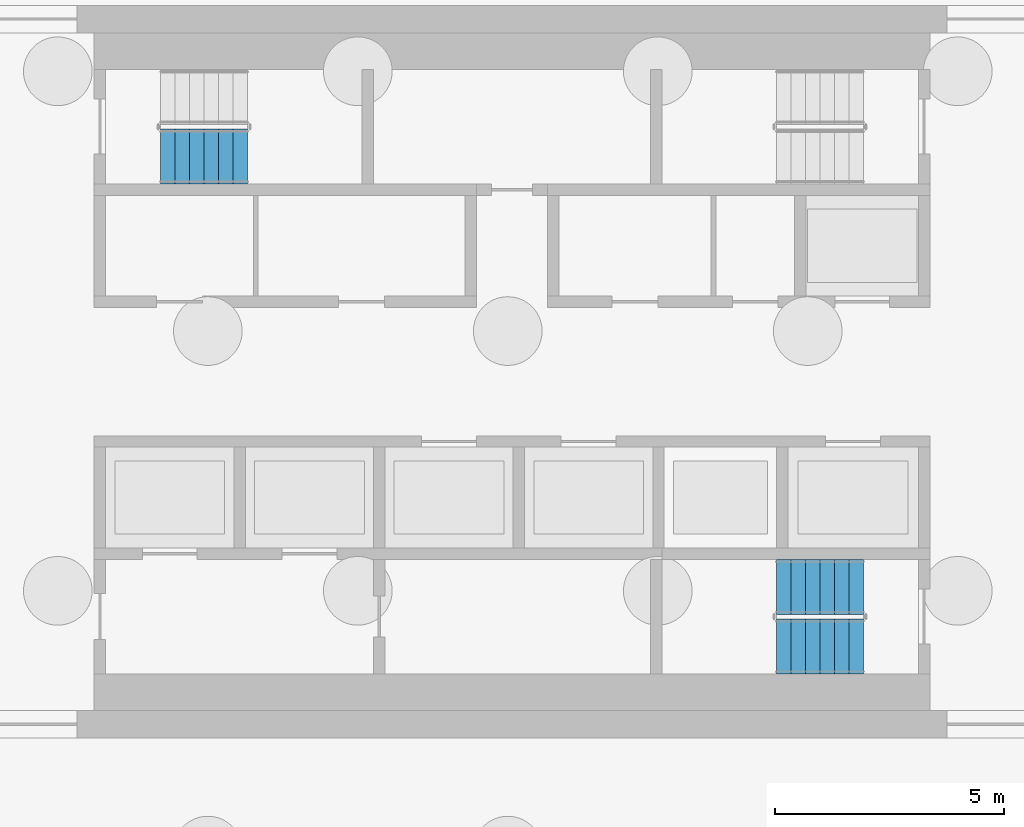
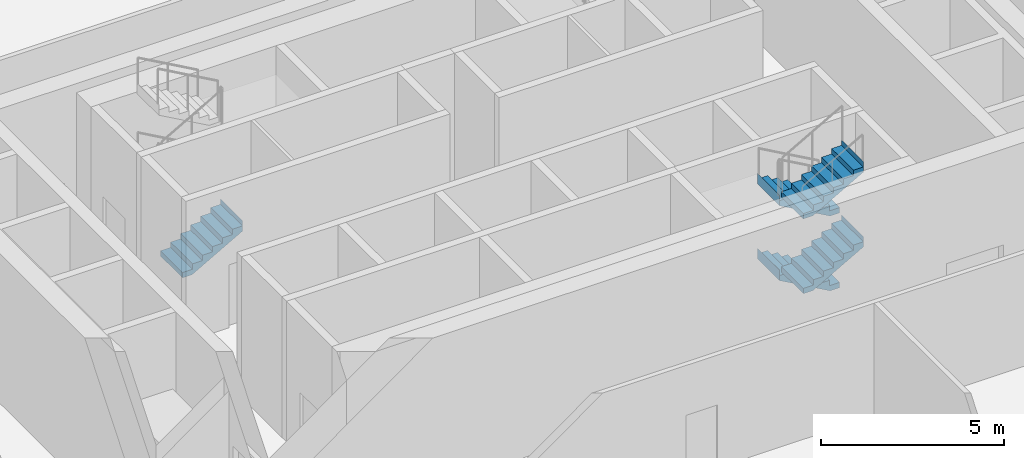
# One storey, part 13 of 19: 5 stair flights, 2 elements without a shape of their own.
"""IFC4 building model written with IfcOpenShell, lengths in metres."""

import ifcopenshell
import ifcopenshell.guid

model = None  # the IFC model being written
_history = None  # IfcOwnerHistory: only IFC2X3 demands one
_inside = {}  # id of a spatial element -> (the spatial element, [elements in it])
_under = {}  # id of a project, library or spatial element -> (it, [spatial elements below it])
_declared = {}  # id of a project -> (the project, [libraries it declares])
_typed = {}  # id of a type object -> (the type object, [elements of that type])
_made_of = {}  # id of a material, layer set ... -> (it, [elements and type objects made of it])


def new_model(schema):
    """Start an empty IFC model of exactly this schema.

    Asked for "IFC4X3", IfcOpenShell would pick the latest addendum, in which some entities
    have other attributes; the version numbers below select the first issue.
    IFC2X3 requires an IfcOwnerHistory on every rooted entity: one is made here for all.
    """
    global model, _history
    if schema == "IFC4X3":
        model = ifcopenshell.file(schema_version=(4, 3, 0, 0))
    else:
        model = ifcopenshell.file(schema=schema)
    _inside.clear()
    _under.clear()
    _declared.clear()
    _typed.clear()
    _made_of.clear()
    _history = None
    if model.schema == "IFC2X3":
        org = make("IfcOrganization", Name="unknown")
        user = make(
            "IfcPersonAndOrganization",
            ThePerson=make("IfcPerson", FamilyName="unknown"),
            TheOrganization=org,
        )
        app = make(
            "IfcApplication",
            ApplicationDeveloper=org,
            Version="unknown",
            ApplicationFullName="unknown",
            ApplicationIdentifier="unknown",
        )
        _history = make(
            "IfcOwnerHistory",
            OwningUser=user,
            OwningApplication=app,
            ChangeAction="ADDED",
            CreationDate=0,
        )
    return model


def make(cls, **values):
    """One entity of the class cls with the attributes given. An attribute that is None is left unset."""
    return model.create_entity(
        cls, **{name: value for name, value in values.items() if value is not None}
    )


def rooted(cls, **values):
    """An entity with a GlobalId (a new one), such as an element, a storey or a relation."""
    return make(cls, GlobalId=ifcopenshell.guid.new(), OwnerHistory=_history, **values)


def si_unit(unit_type, name, prefix=None):
    """IfcSIUnit, for example si_unit("LENGTHUNIT", "METRE", prefix="MILLI")."""
    return make("IfcSIUnit", UnitType=unit_type, Prefix=prefix, Name=name)


def assignment(units):
    """IfcUnitAssignment: the units of a project."""
    return None if units is None else make("IfcUnitAssignment", Units=units)


def point(xyz):
    """IfcCartesianPoint."""
    return None if xyz is None else make("IfcCartesianPoint", Coordinates=xyz)


def direction(xyz):
    """IfcDirection."""
    return None if xyz is None else make("IfcDirection", DirectionRatios=xyz)


def frame(location, z_axis=None, x_axis=None):
    """IfcAxis2Placement3D, a coordinate frame: its origin and axes. An axis left out is left unset."""
    return make(
        "IfcAxis2Placement3D",
        Location=point(location),
        Axis=direction(z_axis),
        RefDirection=direction(x_axis),
    )


def origin():
    """The frame at (0, 0, 0) with its axes left unset."""
    return frame((0.0, 0.0, 0.0))


def place(relative_to, where):
    """IfcLocalPlacement: puts the frame where relative to a parent placement (None: the world)."""
    return make(
        "IfcLocalPlacement", PlacementRelTo=relative_to, RelativePlacement=where
    )


def context(
    kind, dimensions, precision=None, world=None, true_north=None, identifier=None
):
    """IfcGeometricRepresentationContext, for example the 3D "Model" context."""
    return make(
        "IfcGeometricRepresentationContext",
        ContextIdentifier=identifier,
        ContextType=kind,
        CoordinateSpaceDimension=dimensions,
        Precision=precision,
        WorldCoordinateSystem=world,
        TrueNorth=true_north,
    )


def subcontext(parent, identifier, kind, view, scale=None):
    """IfcGeometricRepresentationSubContext, for example "Body" below "Model"."""
    return make(
        "IfcGeometricRepresentationSubContext",
        ContextIdentifier=identifier,
        ContextType=kind,
        ParentContext=parent,
        TargetScale=scale,
        TargetView=view,
    )


def project(units=None, contexts=None):
    """IfcProject with its units and contexts."""
    return rooted(
        "IfcProject",
        Name="project",
        RepresentationContexts=contexts,
        UnitsInContext=assignment(units),
    )


def spatial(cls, under=None, at=None, **own):
    """A site, building, storey or space (cls), placed at a placement, below another one or the project."""
    s = rooted(cls, ObjectPlacement=at, **own)
    if under is not None:
        _under.setdefault(under.id(), (under, []))[1].append(s)
    return s


def point_list(points):
    """IfcCartesianPointList2D or 3D."""
    cls = (
        "IfcCartesianPointList2D" if len(points[0]) == 2 else "IfcCartesianPointList3D"
    )
    return make(cls, CoordList=points)


def triangles(points, corners, closed=None, point_numbers=None):
    """IfcTriangulatedFaceSet: each triangle names its three corners, points numbered from 1."""
    return make(
        "IfcTriangulatedFaceSet",
        Coordinates=point_list(points),
        Closed=closed,
        CoordIndex=corners,
        PnIndex=point_numbers,
    )


def shape(context_of_items, identifier, shape_type, items):
    """IfcShapeRepresentation: the items that make up one representation, for example the "Body"."""
    return make(
        "IfcShapeRepresentation",
        ContextOfItems=context_of_items,
        RepresentationIdentifier=identifier,
        RepresentationType=shape_type,
        Items=items,
    )


def material(Name=None, Category=None):
    """IfcMaterial."""
    return make("IfcMaterial", Name=Name, Category=Category)


def made_of(thing, what):
    """Note that an element or type object is made of a material, layer set ...; save() writes the relation."""
    if what is not None:
        _made_of.setdefault(what.id(), (what, []))[1].append(thing)
    return thing


def type_object(cls, material=None, **own):
    """A type object (cls), such as IfcWallType, which elements share."""
    return made_of(rooted(cls, **own), material)


def element(
    cls,
    number,
    at=None,
    inside=None,
    cuts=None,
    type_object=None,
    material=None,
    context=None,
    identifier="Body",
    shape_type=None,
    held_by="IfcProductDefinitionShape",
    body=None,
    shapes=None,
    **own,
):
    """One element of the class cls, such as IfcWall. Its Tag is "e" and its number.

    at: its placement. inside: the storey or other place that contains it. cuts: it is an
    opening in that element (IfcRelVoidsElement). A single representation is given by context,
    identifier, shape_type and body (its items); several are given by shapes. held_by: the class
    of the entity that holds the representations. save() writes the other relations.
    """
    e = rooted(cls, Tag="e%d" % number, ObjectPlacement=at, **own)
    if body is not None:
        shapes = [shape(context, identifier, shape_type, body)]
    if shapes is not None:
        e.Representation = make(held_by, Representations=shapes)
    if inside is not None:
        _inside.setdefault(inside.id(), (inside, []))[1].append(e)
    if cuts is not None:
        rooted(
            "IfcRelVoidsElement", RelatingBuildingElement=cuts, RelatedOpeningElement=e
        )
    if type_object is not None:
        _typed.setdefault(type_object.id(), (type_object, []))[1].append(e)
    return made_of(e, material)


def aggregate(whole, parts):
    """IfcRelAggregates: a whole, such as a stair, and the parts it consists of."""
    return rooted("IfcRelAggregates", RelatingObject=whole, RelatedObjects=parts)


def save(model, path):
    """Write the relations noted so far, then the file.

    IfcRelAggregates (storeys below a building ...), IfcRelContainedInSpatialStructure (elements
    in a storey), IfcRelDefinesByType, IfcRelAssociatesMaterial and IfcRelDeclares: one each for
    every whole, place, type object, material and project.
    """
    for whole, parts in _under.values():
        aggregate(whole, parts)
    for where, things in _inside.values():
        rooted(
            "IfcRelContainedInSpatialStructure",
            RelatedElements=things,
            RelatingStructure=where,
        )
    for kind, things in _typed.values():
        rooted("IfcRelDefinesByType", RelatedObjects=things, RelatingType=kind)
    for what, things in _made_of.values():
        rooted("IfcRelAssociatesMaterial", RelatedObjects=things, RelatingMaterial=what)
    for by, libraries in _declared.values():
        rooted("IfcRelDeclares", RelatingContext=by, RelatedDefinitions=libraries)
    model.write(path)


model = new_model("IFC4")

# Units and contexts
model_context = context("Model", 3, precision=1e-05, world=origin(), true_north=direction((0.0, 1.0)))
body_context = subcontext(model_context, "Body", "Model", "MODEL_VIEW")
ifc_project = project(units=[si_unit("LENGTHUNIT", "METRE"), si_unit("AREAUNIT", "SQUARE_METRE"), si_unit("VOLUMEUNIT", "CUBIC_METRE"), si_unit("PLANEANGLEUNIT", "RADIAN"), si_unit("MASSUNIT", "GRAM", prefix="KILO")], contexts=[model_context])

# Site, building, storey
site_placement = place(None, origin())
site = spatial("IfcSite", under=ifc_project, at=site_placement, CompositionType="ELEMENT")
building_placement = place(site_placement, origin())
building = spatial("IfcBuilding", under=site, at=building_placement, Name="Sahrelin Media Tower", CompositionType="ELEMENT")
storey_placement = place(building_placement, frame((0.0, 0.0, -5.0)))
storey = spatial("IfcBuildingStorey", under=building, at=storey_placement, Name="B1", CompositionType="ELEMENT", Elevation=-5.0)

# Stair, stair flight
ifc_material = material(Name="Concrete C40/50", Category="concrete")
stair_type = type_object("IfcStairType", Name="Exit stair 1200", PredefinedType="HALF_TURN_STAIR", material=ifc_material)
placement = place(storey_placement, origin())
stair_1 = element("IfcStair", 1, at=placement, inside=storey, type_object=stair_type, Name="B1 Exit stair ST1", PredefinedType="HALF_TURN_STAIR")
stair_flight_type = type_object("IfcStairFlightType", Name="Stair flight 1200", PredefinedType="STRAIGHT", material=ifc_material)
stair_flight_1_placement = place(storey_placement, frame((-7.675048828125, 4.699951171875, 0.0), z_axis=(0.0, 0.0, 1.0), x_axis=(1.0, 0.0, 0.0)))
stair_flight_1 = element("IfcStairFlight", 2, at=stair_flight_1_placement, type_object=stair_flight_type, Name="ST1 flight 1", NumberOfRisers=7, NumberOfTreads=6, PredefinedType="STRAIGHT", RiserHeight=0.178571429, TreadLength=0.316666667, context=body_context, shape_type="Tessellation", body=[
    triangles([(0.30517578125, 0.60009765625, 0.0), (0.30517578125, 0.300048828125, 0.0), (0.30517578125, 0.0, 0.0), (0.30517578125, -0.300048828125, 0.0), (0.30517578125, -0.60009765625, 0.0), (1.89990234375, 0.60009765625, 0.8994140625), (1.89990234375, 0.300048828125, 0.8994140625), (1.89990234375, 0.0, 0.8994140625), (1.89990234375, -0.300048828125, 0.8994140625), (1.89990234375, -0.60009765625, 0.8994140625), (1.89990234375, 0.60009765625, 1.25), (1.89990234375, 0.300048828125, 1.25), (1.89990234375, 0.0, 1.25), (1.89990234375, -0.300048828125, 1.25), (1.89990234375, -0.60009765625, 1.25), (1.89794921875, 0.60009765625, 1.25), (1.89794921875, 0.300048828125, 1.25), (1.89794921875, 0.0, 1.25), (1.89794921875, -0.300048828125, 1.25), (1.89794921875, -0.60009765625, 1.25), (1.89794921875, 0.60009765625, 1.071533203125), (1.89794921875, 0.300048828125, 1.071533203125), (1.89794921875, 0.0, 1.071533203125), (1.89794921875, -0.300048828125, 1.071533203125), (1.89794921875, -0.60009765625, 1.071533203125), (1.583251953125, 0.60009765625, 1.071533203125), (1.583251953125, 0.300048828125, 1.071533203125), (1.583251953125, 0.0, 1.071533203125), (1.583251953125, -0.300048828125, 1.071533203125), (1.583251953125, -0.60009765625, 1.071533203125), (1.583251953125, 0.60009765625, 0.892822265625), (1.583251953125, 0.300048828125, 0.892822265625), (1.583251953125, 0.0, 0.892822265625), (1.583251953125, -0.300048828125, 0.892822265625), (1.583251953125, -0.60009765625, 0.892822265625), (1.2666015625, 0.60009765625, 0.892822265625), (1.2666015625, 0.300048828125, 0.892822265625), (1.2666015625, 0.0, 0.892822265625), (1.2666015625, -0.300048828125, 0.892822265625), (1.2666015625, -0.60009765625, 0.892822265625), (1.2666015625, 0.60009765625, 0.71435546875), (1.2666015625, 0.300048828125, 0.71435546875), (1.2666015625, 0.0, 0.71435546875), (1.2666015625, -0.300048828125, 0.71435546875), (1.2666015625, -0.60009765625, 0.71435546875), (0.949951171875, 0.60009765625, 0.71435546875), (0.949951171875, 0.300048828125, 0.71435546875), (0.949951171875, 0.0, 0.71435546875), (0.949951171875, -0.300048828125, 0.71435546875), (0.949951171875, -0.60009765625, 0.71435546875), (0.949951171875, 0.60009765625, 0.53564453125), (0.949951171875, 0.300048828125, 0.53564453125), (0.949951171875, 0.0, 0.53564453125), (0.949951171875, -0.300048828125, 0.53564453125), (0.949951171875, -0.60009765625, 0.53564453125), (0.63330078125, 0.60009765625, 0.53564453125), (0.63330078125, 0.300048828125, 0.53564453125), (0.63330078125, 0.0, 0.53564453125), (0.63330078125, -0.300048828125, 0.53564453125), (0.63330078125, -0.60009765625, 0.53564453125), (0.63330078125, 0.60009765625, 0.357177734375), (0.63330078125, 0.300048828125, 0.357177734375), (0.63330078125, 0.0, 0.357177734375), (0.63330078125, -0.300048828125, 0.357177734375), (0.63330078125, -0.60009765625, 0.357177734375), (0.316650390625, 0.60009765625, 0.357177734375), (0.316650390625, 0.300048828125, 0.357177734375), (0.316650390625, 0.0, 0.357177734375), (0.316650390625, -0.300048828125, 0.357177734375), (0.316650390625, -0.60009765625, 0.357177734375), (0.316650390625, 0.60009765625, 0.178466796875), (0.316650390625, 0.300048828125, 0.178466796875), (0.316650390625, 0.0, 0.178466796875), (0.316650390625, -0.300048828125, 0.178466796875), (0.316650390625, -0.60009765625, 0.178466796875), (0.0, 0.60009765625, 0.178466796875), (0.0, 0.300048828125, 0.178466796875), (0.0, 0.0, 0.178466796875), (0.0, -0.300048828125, 0.178466796875), (0.0, -0.60009765625, 0.178466796875), (0.0, 0.60009765625, 0.0), (0.0, 0.300048828125, 0.0), (0.0, 0.0, 0.0), (0.0, -0.300048828125, 0.0), (0.0, -0.60009765625, 0.0)], [[1, 6, 7], [1, 7, 2], [2, 7, 8], [2, 8, 3], [3, 8, 9], [3, 9, 4], [4, 9, 10], [4, 10, 5], [6, 11, 12], [6, 12, 7], [7, 12, 13], [7, 13, 8], [8, 13, 14], [8, 14, 9], [9, 14, 15], [9, 15, 10], [11, 16, 17], [11, 17, 12], [12, 17, 18], [12, 18, 13], [13, 18, 19], [13, 19, 14], [14, 19, 20], [14, 20, 15], [16, 21, 22], [16, 22, 17], [17, 22, 23], [17, 23, 18], [18, 23, 24], [18, 24, 19], [19, 24, 25], [19, 25, 20], [21, 26, 27], [21, 27, 22], [22, 27, 28], [22, 28, 23], [23, 28, 29], [23, 29, 24], [24, 29, 30], [24, 30, 25], [26, 31, 32], [26, 32, 27], [27, 32, 33], [27, 33, 28], [28, 33, 34], [28, 34, 29], [29, 34, 35], [29, 35, 30], [31, 36, 37], [31, 37, 32], [32, 37, 38], [32, 38, 33], [33, 38, 39], [33, 39, 34], [34, 39, 40], [34, 40, 35], [36, 41, 42], [36, 42, 37], [37, 42, 43], [37, 43, 38], [38, 43, 44], [38, 44, 39], [39, 44, 45], [39, 45, 40], [41, 46, 47], [41, 47, 42], [42, 47, 48], [42, 48, 43], [43, 48, 49], [43, 49, 44], [44, 49, 50], [44, 50, 45], [46, 51, 52], [46, 52, 47], [47, 52, 53], [47, 53, 48], [48, 53, 54], [48, 54, 49], [49, 54, 55], [49, 55, 50], [51, 56, 57], [51, 57, 52], [52, 57, 58], [52, 58, 53], [53, 58, 59], [53, 59, 54], [54, 59, 60], [54, 60, 55], [56, 61, 62], [56, 62, 57], [57, 62, 63], [57, 63, 58], [58, 63, 64], [58, 64, 59], [59, 64, 65], [59, 65, 60], [61, 66, 67], [61, 67, 62], [62, 67, 68], [62, 68, 63], [63, 68, 69], [63, 69, 64], [64, 69, 70], [64, 70, 65], [66, 71, 72], [66, 72, 67], [67, 72, 73], [67, 73, 68], [68, 73, 74], [68, 74, 69], [69, 74, 75], [69, 75, 70], [71, 76, 77], [71, 77, 72], [72, 77, 78], [72, 78, 73], [73, 78, 79], [73, 79, 74], [74, 79, 80], [74, 80, 75], [76, 81, 82], [76, 82, 77], [77, 82, 83], [77, 83, 78], [78, 83, 84], [78, 84, 79], [79, 84, 85], [79, 85, 80], [81, 1, 2], [81, 2, 82], [82, 2, 3], [82, 3, 83], [83, 3, 4], [83, 4, 84], [84, 4, 5], [84, 5, 85], [5, 80, 85], [1, 81, 76], [75, 65, 70], [71, 66, 61], [65, 55, 60], [61, 56, 51], [55, 45, 50], [51, 46, 41], [45, 35, 40], [41, 36, 31], [10, 25, 30], [6, 26, 21], [25, 15, 20], [21, 16, 11], [5, 75, 80], [1, 76, 71], [25, 10, 15], [21, 11, 6], [65, 75, 5], [61, 1, 71], [30, 35, 10], [26, 6, 31], [55, 65, 5], [51, 1, 61], [45, 10, 35], [41, 31, 6], [5, 10, 55], [1, 51, 6], [55, 10, 45], [51, 41, 6]], closed=True),
])
aggregate(stair_1, [stair_flight_1])

# Stair, stair flights
stair_2 = element("IfcStair", 3, at=placement, inside=storey, type_object=stair_type, Name="B1 Exit stair ST2", PredefinedType="HALF_TURN_STAIR")
stair_flight_2_placement = place(storey_placement, frame((7.675048828125, -4.699951171875, 0.0), z_axis=(0.0, 0.0, 1.0), x_axis=(-1.0, 0.0, 0.0)))
stair_flight_2 = element("IfcStairFlight", 4, at=stair_flight_2_placement, type_object=stair_flight_type, Name="ST2 flight 1", NumberOfRisers=7, NumberOfTreads=6, PredefinedType="STRAIGHT", RiserHeight=0.178571429, TreadLength=0.316666667, context=body_context, shape_type="Tessellation", body=[
    triangles([(0.30517578125, 0.60009765625, 0.0), (0.30517578125, 0.300048828125, 0.0), (0.30517578125, 0.0, 0.0), (0.30517578125, -0.300048828125, 0.0), (0.30517578125, -0.60009765625, 0.0), (1.89990234375, 0.60009765625, 0.8994140625), (1.89990234375, 0.300048828125, 0.8994140625), (1.89990234375, 0.0, 0.8994140625), (1.89990234375, -0.300048828125, 0.8994140625), (1.89990234375, -0.60009765625, 0.8994140625), (1.89990234375, 0.60009765625, 1.25), (1.89990234375, 0.300048828125, 1.25), (1.89990234375, 0.0, 1.25), (1.89990234375, -0.300048828125, 1.25), (1.89990234375, -0.60009765625, 1.25), (1.89794921875, 0.60009765625, 1.25), (1.89794921875, 0.300048828125, 1.25), (1.89794921875, 0.0, 1.25), (1.89794921875, -0.300048828125, 1.25), (1.89794921875, -0.60009765625, 1.25), (1.89794921875, 0.60009765625, 1.071533203125), (1.89794921875, 0.300048828125, 1.071533203125), (1.89794921875, 0.0, 1.071533203125), (1.89794921875, -0.300048828125, 1.071533203125), (1.89794921875, -0.60009765625, 1.071533203125), (1.583251953125, 0.60009765625, 1.071533203125), (1.583251953125, 0.300048828125, 1.071533203125), (1.583251953125, 0.0, 1.071533203125), (1.583251953125, -0.300048828125, 1.071533203125), (1.583251953125, -0.60009765625, 1.071533203125), (1.583251953125, 0.60009765625, 0.892822265625), (1.583251953125, 0.300048828125, 0.892822265625), (1.583251953125, 0.0, 0.892822265625), (1.583251953125, -0.300048828125, 0.892822265625), (1.583251953125, -0.60009765625, 0.892822265625), (1.2666015625, 0.60009765625, 0.892822265625), (1.2666015625, 0.300048828125, 0.892822265625), (1.2666015625, 0.0, 0.892822265625), (1.2666015625, -0.300048828125, 0.892822265625), (1.2666015625, -0.60009765625, 0.892822265625), (1.2666015625, 0.60009765625, 0.71435546875), (1.2666015625, 0.300048828125, 0.71435546875), (1.2666015625, 0.0, 0.71435546875), (1.2666015625, -0.300048828125, 0.71435546875), (1.2666015625, -0.60009765625, 0.71435546875), (0.949951171875, 0.60009765625, 0.71435546875), (0.949951171875, 0.300048828125, 0.71435546875), (0.949951171875, 0.0, 0.71435546875), (0.949951171875, -0.300048828125, 0.71435546875), (0.949951171875, -0.60009765625, 0.71435546875), (0.949951171875, 0.60009765625, 0.53564453125), (0.949951171875, 0.300048828125, 0.53564453125), (0.949951171875, 0.0, 0.53564453125), (0.949951171875, -0.300048828125, 0.53564453125), (0.949951171875, -0.60009765625, 0.53564453125), (0.63330078125, 0.60009765625, 0.53564453125), (0.63330078125, 0.300048828125, 0.53564453125), (0.63330078125, 0.0, 0.53564453125), (0.63330078125, -0.300048828125, 0.53564453125), (0.63330078125, -0.60009765625, 0.53564453125), (0.63330078125, 0.60009765625, 0.357177734375), (0.63330078125, 0.300048828125, 0.357177734375), (0.63330078125, 0.0, 0.357177734375), (0.63330078125, -0.300048828125, 0.357177734375), (0.63330078125, -0.60009765625, 0.357177734375), (0.316650390625, 0.60009765625, 0.357177734375), (0.316650390625, 0.300048828125, 0.357177734375), (0.316650390625, 0.0, 0.357177734375), (0.316650390625, -0.300048828125, 0.357177734375), (0.316650390625, -0.60009765625, 0.357177734375), (0.316650390625, 0.60009765625, 0.178466796875), (0.316650390625, 0.300048828125, 0.178466796875), (0.316650390625, 0.0, 0.178466796875), (0.316650390625, -0.300048828125, 0.178466796875), (0.316650390625, -0.60009765625, 0.178466796875), (0.0, 0.60009765625, 0.178466796875), (0.0, 0.300048828125, 0.178466796875), (0.0, 0.0, 0.178466796875), (0.0, -0.300048828125, 0.178466796875), (0.0, -0.60009765625, 0.178466796875), (0.0, 0.60009765625, 0.0), (0.0, 0.300048828125, 0.0), (0.0, 0.0, 0.0), (0.0, -0.300048828125, 0.0), (0.0, -0.60009765625, 0.0)], [[1, 6, 7], [1, 7, 2], [2, 7, 8], [2, 8, 3], [3, 8, 9], [3, 9, 4], [4, 9, 10], [4, 10, 5], [6, 11, 12], [6, 12, 7], [7, 12, 13], [7, 13, 8], [8, 13, 14], [8, 14, 9], [9, 14, 15], [9, 15, 10], [11, 16, 17], [11, 17, 12], [12, 17, 18], [12, 18, 13], [13, 18, 19], [13, 19, 14], [14, 19, 20], [14, 20, 15], [16, 21, 22], [16, 22, 17], [17, 22, 23], [17, 23, 18], [18, 23, 24], [18, 24, 19], [19, 24, 25], [19, 25, 20], [21, 26, 27], [21, 27, 22], [22, 27, 28], [22, 28, 23], [23, 28, 29], [23, 29, 24], [24, 29, 30], [24, 30, 25], [26, 31, 32], [26, 32, 27], [27, 32, 33], [27, 33, 28], [28, 33, 34], [28, 34, 29], [29, 34, 35], [29, 35, 30], [31, 36, 37], [31, 37, 32], [32, 37, 38], [32, 38, 33], [33, 38, 39], [33, 39, 34], [34, 39, 40], [34, 40, 35], [36, 41, 42], [36, 42, 37], [37, 42, 43], [37, 43, 38], [38, 43, 44], [38, 44, 39], [39, 44, 45], [39, 45, 40], [41, 46, 47], [41, 47, 42], [42, 47, 48], [42, 48, 43], [43, 48, 49], [43, 49, 44], [44, 49, 50], [44, 50, 45], [46, 51, 52], [46, 52, 47], [47, 52, 53], [47, 53, 48], [48, 53, 54], [48, 54, 49], [49, 54, 55], [49, 55, 50], [51, 56, 57], [51, 57, 52], [52, 57, 58], [52, 58, 53], [53, 58, 59], [53, 59, 54], [54, 59, 60], [54, 60, 55], [56, 61, 62], [56, 62, 57], [57, 62, 63], [57, 63, 58], [58, 63, 64], [58, 64, 59], [59, 64, 65], [59, 65, 60], [61, 66, 67], [61, 67, 62], [62, 67, 68], [62, 68, 63], [63, 68, 69], [63, 69, 64], [64, 69, 70], [64, 70, 65], [66, 71, 72], [66, 72, 67], [67, 72, 73], [67, 73, 68], [68, 73, 74], [68, 74, 69], [69, 74, 75], [69, 75, 70], [71, 76, 77], [71, 77, 72], [72, 77, 78], [72, 78, 73], [73, 78, 79], [73, 79, 74], [74, 79, 80], [74, 80, 75], [76, 81, 82], [76, 82, 77], [77, 82, 83], [77, 83, 78], [78, 83, 84], [78, 84, 79], [79, 84, 85], [79, 85, 80], [81, 1, 2], [81, 2, 82], [82, 2, 3], [82, 3, 83], [83, 3, 4], [83, 4, 84], [84, 4, 5], [84, 5, 85], [5, 80, 85], [1, 81, 76], [75, 65, 70], [71, 66, 61], [65, 55, 60], [61, 56, 51], [55, 45, 50], [51, 46, 41], [45, 35, 40], [41, 36, 31], [10, 25, 30], [6, 26, 21], [25, 15, 20], [21, 16, 11], [5, 75, 80], [1, 76, 71], [25, 10, 15], [21, 11, 6], [65, 75, 5], [61, 1, 71], [30, 35, 10], [26, 6, 31], [55, 65, 5], [51, 1, 61], [45, 10, 35], [41, 31, 6], [5, 10, 55], [1, 51, 6], [55, 10, 45], [51, 41, 6]], closed=True),
])
stair_flight_3_placement = place(storey_placement, frame((5.77490234375, -6.0, 1.25), z_axis=(0.0, 0.0, 1.0), x_axis=(1.0, 0.0, 0.0)))
stair_flight_3 = element("IfcStairFlight", 5, at=stair_flight_3_placement, type_object=stair_flight_type, Name="ST2 flight 2", NumberOfRisers=7, NumberOfTreads=6, PredefinedType="STRAIGHT", RiserHeight=0.178571429, TreadLength=0.316666667, context=body_context, shape_type="Tessellation", body=[
    triangles([(0.30517578125, 0.60009765625, 0.0), (0.30517578125, 0.300048828125, 0.0), (0.30517578125, 0.0, 0.0), (0.30517578125, -0.300048828125, 0.0), (0.30517578125, -0.60009765625, 0.0), (1.89990234375, 0.60009765625, 0.8994140625), (1.89990234375, 0.300048828125, 0.8994140625), (1.89990234375, 0.0, 0.8994140625), (1.89990234375, -0.300048828125, 0.8994140625), (1.89990234375, -0.60009765625, 0.8994140625), (1.89990234375, 0.60009765625, 1.25), (1.89990234375, 0.300048828125, 1.25), (1.89990234375, 0.0, 1.25), (1.89990234375, -0.300048828125, 1.25), (1.89990234375, -0.60009765625, 1.25), (1.89794921875, 0.60009765625, 1.25), (1.89794921875, 0.300048828125, 1.25), (1.89794921875, 0.0, 1.25), (1.89794921875, -0.300048828125, 1.25), (1.89794921875, -0.60009765625, 1.25), (1.89794921875, 0.60009765625, 1.071533203125), (1.89794921875, 0.300048828125, 1.071533203125), (1.89794921875, 0.0, 1.071533203125), (1.89794921875, -0.300048828125, 1.071533203125), (1.89794921875, -0.60009765625, 1.071533203125), (1.583251953125, 0.60009765625, 1.071533203125), (1.583251953125, 0.300048828125, 1.071533203125), (1.583251953125, 0.0, 1.071533203125), (1.583251953125, -0.300048828125, 1.071533203125), (1.583251953125, -0.60009765625, 1.071533203125), (1.583251953125, 0.60009765625, 0.892822265625), (1.583251953125, 0.300048828125, 0.892822265625), (1.583251953125, 0.0, 0.892822265625), (1.583251953125, -0.300048828125, 0.892822265625), (1.583251953125, -0.60009765625, 0.892822265625), (1.2666015625, 0.60009765625, 0.892822265625), (1.2666015625, 0.300048828125, 0.892822265625), (1.2666015625, 0.0, 0.892822265625), (1.2666015625, -0.300048828125, 0.892822265625), (1.2666015625, -0.60009765625, 0.892822265625), (1.2666015625, 0.60009765625, 0.71435546875), (1.2666015625, 0.300048828125, 0.71435546875), (1.2666015625, 0.0, 0.71435546875), (1.2666015625, -0.300048828125, 0.71435546875), (1.2666015625, -0.60009765625, 0.71435546875), (0.949951171875, 0.60009765625, 0.71435546875), (0.949951171875, 0.300048828125, 0.71435546875), (0.949951171875, 0.0, 0.71435546875), (0.949951171875, -0.300048828125, 0.71435546875), (0.949951171875, -0.60009765625, 0.71435546875), (0.949951171875, 0.60009765625, 0.53564453125), (0.949951171875, 0.300048828125, 0.53564453125), (0.949951171875, 0.0, 0.53564453125), (0.949951171875, -0.300048828125, 0.53564453125), (0.949951171875, -0.60009765625, 0.53564453125), (0.63330078125, 0.60009765625, 0.53564453125), (0.63330078125, 0.300048828125, 0.53564453125), (0.63330078125, 0.0, 0.53564453125), (0.63330078125, -0.300048828125, 0.53564453125), (0.63330078125, -0.60009765625, 0.53564453125), (0.63330078125, 0.60009765625, 0.357177734375), (0.63330078125, 0.300048828125, 0.357177734375), (0.63330078125, 0.0, 0.357177734375), (0.63330078125, -0.300048828125, 0.357177734375), (0.63330078125, -0.60009765625, 0.357177734375), (0.316650390625, 0.60009765625, 0.357177734375), (0.316650390625, 0.300048828125, 0.357177734375), (0.316650390625, 0.0, 0.357177734375), (0.316650390625, -0.300048828125, 0.357177734375), (0.316650390625, -0.60009765625, 0.357177734375), (0.316650390625, 0.60009765625, 0.178466796875), (0.316650390625, 0.300048828125, 0.178466796875), (0.316650390625, 0.0, 0.178466796875), (0.316650390625, -0.300048828125, 0.178466796875), (0.316650390625, -0.60009765625, 0.178466796875), (0.0, 0.60009765625, 0.178466796875), (0.0, 0.300048828125, 0.178466796875), (0.0, 0.0, 0.178466796875), (0.0, -0.300048828125, 0.178466796875), (0.0, -0.60009765625, 0.178466796875), (0.0, 0.60009765625, 0.0), (0.0, 0.300048828125, 0.0), (0.0, 0.0, 0.0), (0.0, -0.300048828125, 0.0), (0.0, -0.60009765625, 0.0)], [[1, 6, 7], [1, 7, 2], [2, 7, 8], [2, 8, 3], [3, 8, 9], [3, 9, 4], [4, 9, 10], [4, 10, 5], [6, 11, 12], [6, 12, 7], [7, 12, 13], [7, 13, 8], [8, 13, 14], [8, 14, 9], [9, 14, 15], [9, 15, 10], [11, 16, 17], [11, 17, 12], [12, 17, 18], [12, 18, 13], [13, 18, 19], [13, 19, 14], [14, 19, 20], [14, 20, 15], [16, 21, 22], [16, 22, 17], [17, 22, 23], [17, 23, 18], [18, 23, 24], [18, 24, 19], [19, 24, 25], [19, 25, 20], [21, 26, 27], [21, 27, 22], [22, 27, 28], [22, 28, 23], [23, 28, 29], [23, 29, 24], [24, 29, 30], [24, 30, 25], [26, 31, 32], [26, 32, 27], [27, 32, 33], [27, 33, 28], [28, 33, 34], [28, 34, 29], [29, 34, 35], [29, 35, 30], [31, 36, 37], [31, 37, 32], [32, 37, 38], [32, 38, 33], [33, 38, 39], [33, 39, 34], [34, 39, 40], [34, 40, 35], [36, 41, 42], [36, 42, 37], [37, 42, 43], [37, 43, 38], [38, 43, 44], [38, 44, 39], [39, 44, 45], [39, 45, 40], [41, 46, 47], [41, 47, 42], [42, 47, 48], [42, 48, 43], [43, 48, 49], [43, 49, 44], [44, 49, 50], [44, 50, 45], [46, 51, 52], [46, 52, 47], [47, 52, 53], [47, 53, 48], [48, 53, 54], [48, 54, 49], [49, 54, 55], [49, 55, 50], [51, 56, 57], [51, 57, 52], [52, 57, 58], [52, 58, 53], [53, 58, 59], [53, 59, 54], [54, 59, 60], [54, 60, 55], [56, 61, 62], [56, 62, 57], [57, 62, 63], [57, 63, 58], [58, 63, 64], [58, 64, 59], [59, 64, 65], [59, 65, 60], [61, 66, 67], [61, 67, 62], [62, 67, 68], [62, 68, 63], [63, 68, 69], [63, 69, 64], [64, 69, 70], [64, 70, 65], [66, 71, 72], [66, 72, 67], [67, 72, 73], [67, 73, 68], [68, 73, 74], [68, 74, 69], [69, 74, 75], [69, 75, 70], [71, 76, 77], [71, 77, 72], [72, 77, 78], [72, 78, 73], [73, 78, 79], [73, 79, 74], [74, 79, 80], [74, 80, 75], [76, 81, 82], [76, 82, 77], [77, 82, 83], [77, 83, 78], [78, 83, 84], [78, 84, 79], [79, 84, 85], [79, 85, 80], [81, 1, 2], [81, 2, 82], [82, 2, 3], [82, 3, 83], [83, 3, 4], [83, 4, 84], [84, 4, 5], [84, 5, 85], [5, 80, 85], [1, 81, 76], [75, 65, 70], [71, 66, 61], [65, 55, 60], [61, 56, 51], [55, 45, 50], [51, 46, 41], [45, 35, 40], [41, 36, 31], [10, 25, 30], [6, 26, 21], [25, 15, 20], [21, 16, 11], [5, 75, 80], [1, 76, 71], [25, 10, 15], [21, 11, 6], [65, 75, 5], [61, 1, 71], [30, 35, 10], [26, 6, 31], [55, 65, 5], [51, 1, 61], [45, 10, 35], [41, 31, 6], [5, 10, 55], [1, 51, 6], [55, 10, 45], [51, 41, 6]], closed=True),
])
stair_flight_4_placement = place(storey_placement, frame((7.675048828125, -4.699951171875, 2.5), z_axis=(0.0, 0.0, 1.0), x_axis=(-1.0, 0.0, 0.0)))
stair_flight_4 = element("IfcStairFlight", 6, at=stair_flight_4_placement, type_object=stair_flight_type, Name="ST2 flight 3", NumberOfRisers=7, NumberOfTreads=6, PredefinedType="STRAIGHT", RiserHeight=0.178571429, TreadLength=0.316666667, context=body_context, shape_type="Tessellation", body=[
    triangles([(0.30517578125, 0.60009765625, 0.0), (0.30517578125, 0.300048828125, 0.0), (0.30517578125, 0.0, 0.0), (0.30517578125, -0.300048828125, 0.0), (0.30517578125, -0.60009765625, 0.0), (1.89990234375, 0.60009765625, 0.8994140625), (1.89990234375, 0.300048828125, 0.8994140625), (1.89990234375, 0.0, 0.8994140625), (1.89990234375, -0.300048828125, 0.8994140625), (1.89990234375, -0.60009765625, 0.8994140625), (1.89990234375, 0.60009765625, 1.25), (1.89990234375, 0.300048828125, 1.25), (1.89990234375, 0.0, 1.25), (1.89990234375, -0.300048828125, 1.25), (1.89990234375, -0.60009765625, 1.25), (1.89794921875, 0.60009765625, 1.25), (1.89794921875, 0.300048828125, 1.25), (1.89794921875, 0.0, 1.25), (1.89794921875, -0.300048828125, 1.25), (1.89794921875, -0.60009765625, 1.25), (1.89794921875, 0.60009765625, 1.071533203125), (1.89794921875, 0.300048828125, 1.071533203125), (1.89794921875, 0.0, 1.071533203125), (1.89794921875, -0.300048828125, 1.071533203125), (1.89794921875, -0.60009765625, 1.071533203125), (1.583251953125, 0.60009765625, 1.071533203125), (1.583251953125, 0.300048828125, 1.071533203125), (1.583251953125, 0.0, 1.071533203125), (1.583251953125, -0.300048828125, 1.071533203125), (1.583251953125, -0.60009765625, 1.071533203125), (1.583251953125, 0.60009765625, 0.892822265625), (1.583251953125, 0.300048828125, 0.892822265625), (1.583251953125, 0.0, 0.892822265625), (1.583251953125, -0.300048828125, 0.892822265625), (1.583251953125, -0.60009765625, 0.892822265625), (1.2666015625, 0.60009765625, 0.892822265625), (1.2666015625, 0.300048828125, 0.892822265625), (1.2666015625, 0.0, 0.892822265625), (1.2666015625, -0.300048828125, 0.892822265625), (1.2666015625, -0.60009765625, 0.892822265625), (1.2666015625, 0.60009765625, 0.71435546875), (1.2666015625, 0.300048828125, 0.71435546875), (1.2666015625, 0.0, 0.71435546875), (1.2666015625, -0.300048828125, 0.71435546875), (1.2666015625, -0.60009765625, 0.71435546875), (0.949951171875, 0.60009765625, 0.71435546875), (0.949951171875, 0.300048828125, 0.71435546875), (0.949951171875, 0.0, 0.71435546875), (0.949951171875, -0.300048828125, 0.71435546875), (0.949951171875, -0.60009765625, 0.71435546875), (0.949951171875, 0.60009765625, 0.53564453125), (0.949951171875, 0.300048828125, 0.53564453125), (0.949951171875, 0.0, 0.53564453125), (0.949951171875, -0.300048828125, 0.53564453125), (0.949951171875, -0.60009765625, 0.53564453125), (0.63330078125, 0.60009765625, 0.53564453125), (0.63330078125, 0.300048828125, 0.53564453125), (0.63330078125, 0.0, 0.53564453125), (0.63330078125, -0.300048828125, 0.53564453125), (0.63330078125, -0.60009765625, 0.53564453125), (0.63330078125, 0.60009765625, 0.357177734375), (0.63330078125, 0.300048828125, 0.357177734375), (0.63330078125, 0.0, 0.357177734375), (0.63330078125, -0.300048828125, 0.357177734375), (0.63330078125, -0.60009765625, 0.357177734375), (0.316650390625, 0.60009765625, 0.357177734375), (0.316650390625, 0.300048828125, 0.357177734375), (0.316650390625, 0.0, 0.357177734375), (0.316650390625, -0.300048828125, 0.357177734375), (0.316650390625, -0.60009765625, 0.357177734375), (0.316650390625, 0.60009765625, 0.178466796875), (0.316650390625, 0.300048828125, 0.178466796875), (0.316650390625, 0.0, 0.178466796875), (0.316650390625, -0.300048828125, 0.178466796875), (0.316650390625, -0.60009765625, 0.178466796875), (0.0, 0.60009765625, 0.178466796875), (0.0, 0.300048828125, 0.178466796875), (0.0, 0.0, 0.178466796875), (0.0, -0.300048828125, 0.178466796875), (0.0, -0.60009765625, 0.178466796875), (0.0, 0.60009765625, 0.0), (0.0, 0.300048828125, 0.0), (0.0, 0.0, 0.0), (0.0, -0.300048828125, 0.0), (0.0, -0.60009765625, 0.0)], [[1, 6, 7], [1, 7, 2], [2, 7, 8], [2, 8, 3], [3, 8, 9], [3, 9, 4], [4, 9, 10], [4, 10, 5], [6, 11, 12], [6, 12, 7], [7, 12, 13], [7, 13, 8], [8, 13, 14], [8, 14, 9], [9, 14, 15], [9, 15, 10], [11, 16, 17], [11, 17, 12], [12, 17, 18], [12, 18, 13], [13, 18, 19], [13, 19, 14], [14, 19, 20], [14, 20, 15], [16, 21, 22], [16, 22, 17], [17, 22, 23], [17, 23, 18], [18, 23, 24], [18, 24, 19], [19, 24, 25], [19, 25, 20], [21, 26, 27], [21, 27, 22], [22, 27, 28], [22, 28, 23], [23, 28, 29], [23, 29, 24], [24, 29, 30], [24, 30, 25], [26, 31, 32], [26, 32, 27], [27, 32, 33], [27, 33, 28], [28, 33, 34], [28, 34, 29], [29, 34, 35], [29, 35, 30], [31, 36, 37], [31, 37, 32], [32, 37, 38], [32, 38, 33], [33, 38, 39], [33, 39, 34], [34, 39, 40], [34, 40, 35], [36, 41, 42], [36, 42, 37], [37, 42, 43], [37, 43, 38], [38, 43, 44], [38, 44, 39], [39, 44, 45], [39, 45, 40], [41, 46, 47], [41, 47, 42], [42, 47, 48], [42, 48, 43], [43, 48, 49], [43, 49, 44], [44, 49, 50], [44, 50, 45], [46, 51, 52], [46, 52, 47], [47, 52, 53], [47, 53, 48], [48, 53, 54], [48, 54, 49], [49, 54, 55], [49, 55, 50], [51, 56, 57], [51, 57, 52], [52, 57, 58], [52, 58, 53], [53, 58, 59], [53, 59, 54], [54, 59, 60], [54, 60, 55], [56, 61, 62], [56, 62, 57], [57, 62, 63], [57, 63, 58], [58, 63, 64], [58, 64, 59], [59, 64, 65], [59, 65, 60], [61, 66, 67], [61, 67, 62], [62, 67, 68], [62, 68, 63], [63, 68, 69], [63, 69, 64], [64, 69, 70], [64, 70, 65], [66, 71, 72], [66, 72, 67], [67, 72, 73], [67, 73, 68], [68, 73, 74], [68, 74, 69], [69, 74, 75], [69, 75, 70], [71, 76, 77], [71, 77, 72], [72, 77, 78], [72, 78, 73], [73, 78, 79], [73, 79, 74], [74, 79, 80], [74, 80, 75], [76, 81, 82], [76, 82, 77], [77, 82, 83], [77, 83, 78], [78, 83, 84], [78, 84, 79], [79, 84, 85], [79, 85, 80], [81, 1, 2], [81, 2, 82], [82, 2, 3], [82, 3, 83], [83, 3, 4], [83, 4, 84], [84, 4, 5], [84, 5, 85], [5, 80, 85], [1, 81, 76], [75, 65, 70], [71, 66, 61], [65, 55, 60], [61, 56, 51], [55, 45, 50], [51, 46, 41], [45, 35, 40], [41, 36, 31], [10, 25, 30], [6, 26, 21], [25, 15, 20], [21, 16, 11], [5, 75, 80], [1, 76, 71], [25, 10, 15], [21, 11, 6], [65, 75, 5], [61, 1, 71], [30, 35, 10], [26, 6, 31], [55, 65, 5], [51, 1, 61], [45, 10, 35], [41, 31, 6], [5, 10, 55], [1, 51, 6], [55, 10, 45], [51, 41, 6]], closed=True),
])
stair_flight_5_placement = place(storey_placement, frame((5.77490234375, -6.0, 3.75), z_axis=(0.0, 0.0, 1.0), x_axis=(1.0, 0.0, 0.0)))
stair_flight_5 = element("IfcStairFlight", 7, at=stair_flight_5_placement, type_object=stair_flight_type, Name="ST2 flight 4", NumberOfRisers=7, NumberOfTreads=6, PredefinedType="STRAIGHT", RiserHeight=0.178571429, TreadLength=0.316666667, context=body_context, shape_type="Tessellation", body=[
    triangles([(0.30517578125, 0.60009765625, 0.0), (0.30517578125, 0.300048828125, 0.0), (0.30517578125, 0.0, 0.0), (0.30517578125, -0.300048828125, 0.0), (0.30517578125, -0.60009765625, 0.0), (1.89990234375, 0.60009765625, 0.8994140625), (1.89990234375, 0.300048828125, 0.8994140625), (1.89990234375, 0.0, 0.8994140625), (1.89990234375, -0.300048828125, 0.8994140625), (1.89990234375, -0.60009765625, 0.8994140625), (1.89990234375, 0.60009765625, 1.25), (1.89990234375, 0.300048828125, 1.25), (1.89990234375, 0.0, 1.25), (1.89990234375, -0.300048828125, 1.25), (1.89990234375, -0.60009765625, 1.25), (1.89794921875, 0.60009765625, 1.25), (1.89794921875, 0.300048828125, 1.25), (1.89794921875, 0.0, 1.25), (1.89794921875, -0.300048828125, 1.25), (1.89794921875, -0.60009765625, 1.25), (1.89794921875, 0.60009765625, 1.071533203125), (1.89794921875, 0.300048828125, 1.071533203125), (1.89794921875, 0.0, 1.071533203125), (1.89794921875, -0.300048828125, 1.071533203125), (1.89794921875, -0.60009765625, 1.071533203125), (1.583251953125, 0.60009765625, 1.071533203125), (1.583251953125, 0.300048828125, 1.071533203125), (1.583251953125, 0.0, 1.071533203125), (1.583251953125, -0.300048828125, 1.071533203125), (1.583251953125, -0.60009765625, 1.071533203125), (1.583251953125, 0.60009765625, 0.892822265625), (1.583251953125, 0.300048828125, 0.892822265625), (1.583251953125, 0.0, 0.892822265625), (1.583251953125, -0.300048828125, 0.892822265625), (1.583251953125, -0.60009765625, 0.892822265625), (1.2666015625, 0.60009765625, 0.892822265625), (1.2666015625, 0.300048828125, 0.892822265625), (1.2666015625, 0.0, 0.892822265625), (1.2666015625, -0.300048828125, 0.892822265625), (1.2666015625, -0.60009765625, 0.892822265625), (1.2666015625, 0.60009765625, 0.71435546875), (1.2666015625, 0.300048828125, 0.71435546875), (1.2666015625, 0.0, 0.71435546875), (1.2666015625, -0.300048828125, 0.71435546875), (1.2666015625, -0.60009765625, 0.71435546875), (0.949951171875, 0.60009765625, 0.71435546875), (0.949951171875, 0.300048828125, 0.71435546875), (0.949951171875, 0.0, 0.71435546875), (0.949951171875, -0.300048828125, 0.71435546875), (0.949951171875, -0.60009765625, 0.71435546875), (0.949951171875, 0.60009765625, 0.53564453125), (0.949951171875, 0.300048828125, 0.53564453125), (0.949951171875, 0.0, 0.53564453125), (0.949951171875, -0.300048828125, 0.53564453125), (0.949951171875, -0.60009765625, 0.53564453125), (0.63330078125, 0.60009765625, 0.53564453125), (0.63330078125, 0.300048828125, 0.53564453125), (0.63330078125, 0.0, 0.53564453125), (0.63330078125, -0.300048828125, 0.53564453125), (0.63330078125, -0.60009765625, 0.53564453125), (0.63330078125, 0.60009765625, 0.357177734375), (0.63330078125, 0.300048828125, 0.357177734375), (0.63330078125, 0.0, 0.357177734375), (0.63330078125, -0.300048828125, 0.357177734375), (0.63330078125, -0.60009765625, 0.357177734375), (0.316650390625, 0.60009765625, 0.357177734375), (0.316650390625, 0.300048828125, 0.357177734375), (0.316650390625, 0.0, 0.357177734375), (0.316650390625, -0.300048828125, 0.357177734375), (0.316650390625, -0.60009765625, 0.357177734375), (0.316650390625, 0.60009765625, 0.178466796875), (0.316650390625, 0.300048828125, 0.178466796875), (0.316650390625, 0.0, 0.178466796875), (0.316650390625, -0.300048828125, 0.178466796875), (0.316650390625, -0.60009765625, 0.178466796875), (0.0, 0.60009765625, 0.178466796875), (0.0, 0.300048828125, 0.178466796875), (0.0, 0.0, 0.178466796875), (0.0, -0.300048828125, 0.178466796875), (0.0, -0.60009765625, 0.178466796875), (0.0, 0.60009765625, 0.0), (0.0, 0.300048828125, 0.0), (0.0, 0.0, 0.0), (0.0, -0.300048828125, 0.0), (0.0, -0.60009765625, 0.0)], [[1, 6, 7], [1, 7, 2], [2, 7, 8], [2, 8, 3], [3, 8, 9], [3, 9, 4], [4, 9, 10], [4, 10, 5], [6, 11, 12], [6, 12, 7], [7, 12, 13], [7, 13, 8], [8, 13, 14], [8, 14, 9], [9, 14, 15], [9, 15, 10], [11, 16, 17], [11, 17, 12], [12, 17, 18], [12, 18, 13], [13, 18, 19], [13, 19, 14], [14, 19, 20], [14, 20, 15], [16, 21, 22], [16, 22, 17], [17, 22, 23], [17, 23, 18], [18, 23, 24], [18, 24, 19], [19, 24, 25], [19, 25, 20], [21, 26, 27], [21, 27, 22], [22, 27, 28], [22, 28, 23], [23, 28, 29], [23, 29, 24], [24, 29, 30], [24, 30, 25], [26, 31, 32], [26, 32, 27], [27, 32, 33], [27, 33, 28], [28, 33, 34], [28, 34, 29], [29, 34, 35], [29, 35, 30], [31, 36, 37], [31, 37, 32], [32, 37, 38], [32, 38, 33], [33, 38, 39], [33, 39, 34], [34, 39, 40], [34, 40, 35], [36, 41, 42], [36, 42, 37], [37, 42, 43], [37, 43, 38], [38, 43, 44], [38, 44, 39], [39, 44, 45], [39, 45, 40], [41, 46, 47], [41, 47, 42], [42, 47, 48], [42, 48, 43], [43, 48, 49], [43, 49, 44], [44, 49, 50], [44, 50, 45], [46, 51, 52], [46, 52, 47], [47, 52, 53], [47, 53, 48], [48, 53, 54], [48, 54, 49], [49, 54, 55], [49, 55, 50], [51, 56, 57], [51, 57, 52], [52, 57, 58], [52, 58, 53], [53, 58, 59], [53, 59, 54], [54, 59, 60], [54, 60, 55], [56, 61, 62], [56, 62, 57], [57, 62, 63], [57, 63, 58], [58, 63, 64], [58, 64, 59], [59, 64, 65], [59, 65, 60], [61, 66, 67], [61, 67, 62], [62, 67, 68], [62, 68, 63], [63, 68, 69], [63, 69, 64], [64, 69, 70], [64, 70, 65], [66, 71, 72], [66, 72, 67], [67, 72, 73], [67, 73, 68], [68, 73, 74], [68, 74, 69], [69, 74, 75], [69, 75, 70], [71, 76, 77], [71, 77, 72], [72, 77, 78], [72, 78, 73], [73, 78, 79], [73, 79, 74], [74, 79, 80], [74, 80, 75], [76, 81, 82], [76, 82, 77], [77, 82, 83], [77, 83, 78], [78, 83, 84], [78, 84, 79], [79, 84, 85], [79, 85, 80], [81, 1, 2], [81, 2, 82], [82, 2, 3], [82, 3, 83], [83, 3, 4], [83, 4, 84], [84, 4, 5], [84, 5, 85], [5, 80, 85], [1, 81, 76], [75, 65, 70], [71, 66, 61], [65, 55, 60], [61, 56, 51], [55, 45, 50], [51, 46, 41], [45, 35, 40], [41, 36, 31], [10, 25, 30], [6, 26, 21], [25, 15, 20], [21, 16, 11], [5, 75, 80], [1, 76, 71], [25, 10, 15], [21, 11, 6], [65, 75, 5], [61, 1, 71], [30, 35, 10], [26, 6, 31], [55, 65, 5], [51, 1, 61], [45, 10, 35], [41, 31, 6], [5, 10, 55], [1, 51, 6], [55, 10, 45], [51, 41, 6]], closed=True),
])
aggregate(stair_2, [stair_flight_2, stair_flight_3, stair_flight_4, stair_flight_5])

save(model, "model.ifc")
